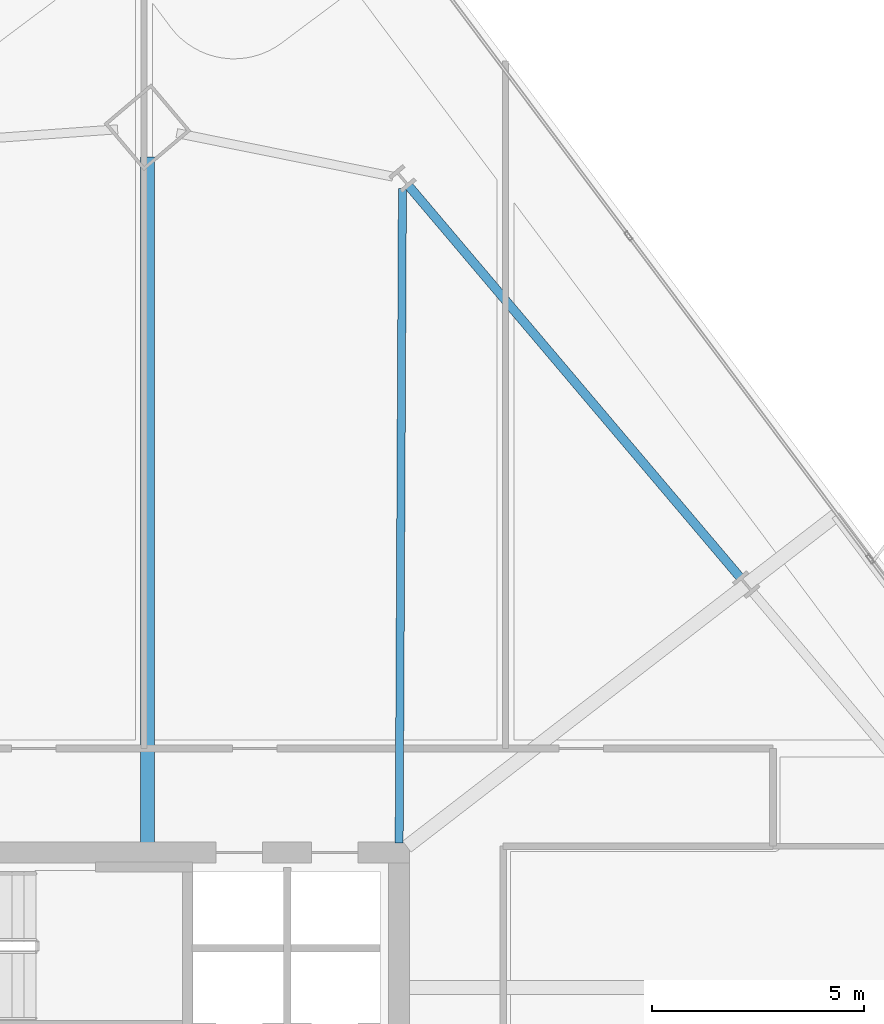
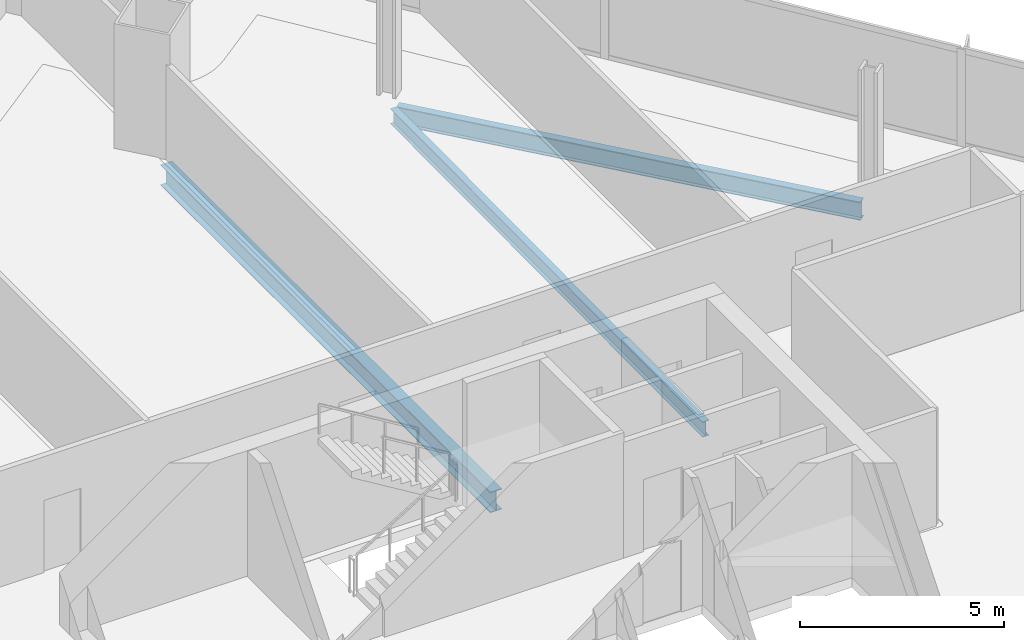
# One storey, part 19 of 32: 3 beams.
"""IFC4 building model written with IfcOpenShell, lengths in metres."""

import ifcopenshell
import ifcopenshell.guid

model = None  # the IFC model being written
_history = None  # IfcOwnerHistory: only IFC2X3 demands one
_inside = {}  # id of a spatial element -> (the spatial element, [elements in it])
_under = {}  # id of a project, library or spatial element -> (it, [spatial elements below it])
_declared = {}  # id of a project -> (the project, [libraries it declares])
_typed = {}  # id of a type object -> (the type object, [elements of that type])
_made_of = {}  # id of a material, layer set ... -> (it, [elements and type objects made of it])


def new_model(schema):
    """Start an empty IFC model of exactly this schema.

    Asked for "IFC4X3", IfcOpenShell would pick the latest addendum, in which some entities
    have other attributes; the version numbers below select the first issue.
    IFC2X3 requires an IfcOwnerHistory on every rooted entity: one is made here for all.
    """
    global model, _history
    if schema == "IFC4X3":
        model = ifcopenshell.file(schema_version=(4, 3, 0, 0))
    else:
        model = ifcopenshell.file(schema=schema)
    _inside.clear()
    _under.clear()
    _declared.clear()
    _typed.clear()
    _made_of.clear()
    _history = None
    if model.schema == "IFC2X3":
        org = make("IfcOrganization", Name="unknown")
        user = make(
            "IfcPersonAndOrganization",
            ThePerson=make("IfcPerson", FamilyName="unknown"),
            TheOrganization=org,
        )
        app = make(
            "IfcApplication",
            ApplicationDeveloper=org,
            Version="unknown",
            ApplicationFullName="unknown",
            ApplicationIdentifier="unknown",
        )
        _history = make(
            "IfcOwnerHistory",
            OwningUser=user,
            OwningApplication=app,
            ChangeAction="ADDED",
            CreationDate=0,
        )
    return model


def make(cls, **values):
    """One entity of the class cls with the attributes given. An attribute that is None is left unset."""
    return model.create_entity(
        cls, **{name: value for name, value in values.items() if value is not None}
    )


def rooted(cls, **values):
    """An entity with a GlobalId (a new one), such as an element, a storey or a relation."""
    return make(cls, GlobalId=ifcopenshell.guid.new(), OwnerHistory=_history, **values)


def si_unit(unit_type, name, prefix=None):
    """IfcSIUnit, for example si_unit("LENGTHUNIT", "METRE", prefix="MILLI")."""
    return make("IfcSIUnit", UnitType=unit_type, Prefix=prefix, Name=name)


def assignment(units):
    """IfcUnitAssignment: the units of a project."""
    return None if units is None else make("IfcUnitAssignment", Units=units)


def point(xyz):
    """IfcCartesianPoint."""
    return None if xyz is None else make("IfcCartesianPoint", Coordinates=xyz)


def direction(xyz):
    """IfcDirection."""
    return None if xyz is None else make("IfcDirection", DirectionRatios=xyz)


def frame(location, z_axis=None, x_axis=None):
    """IfcAxis2Placement3D, a coordinate frame: its origin and axes. An axis left out is left unset."""
    return make(
        "IfcAxis2Placement3D",
        Location=point(location),
        Axis=direction(z_axis),
        RefDirection=direction(x_axis),
    )


def frame_2d(location, x_axis=None):
    """IfcAxis2Placement2D, a coordinate frame in the plane: its origin and x axis."""
    return make(
        "IfcAxis2Placement2D", Location=point(location), RefDirection=direction(x_axis)
    )


def origin():
    """The frame at (0, 0, 0) with its axes left unset."""
    return frame((0.0, 0.0, 0.0))


def origin_2d():
    """The frame at (0, 0) in the plane with its x axis left unset."""
    return frame_2d((0.0, 0.0))


def place(relative_to, where):
    """IfcLocalPlacement: puts the frame where relative to a parent placement (None: the world)."""
    return make(
        "IfcLocalPlacement", PlacementRelTo=relative_to, RelativePlacement=where
    )


def context(
    kind, dimensions, precision=None, world=None, true_north=None, identifier=None
):
    """IfcGeometricRepresentationContext, for example the 3D "Model" context."""
    return make(
        "IfcGeometricRepresentationContext",
        ContextIdentifier=identifier,
        ContextType=kind,
        CoordinateSpaceDimension=dimensions,
        Precision=precision,
        WorldCoordinateSystem=world,
        TrueNorth=true_north,
    )


def subcontext(parent, identifier, kind, view, scale=None):
    """IfcGeometricRepresentationSubContext, for example "Body" below "Model"."""
    return make(
        "IfcGeometricRepresentationSubContext",
        ContextIdentifier=identifier,
        ContextType=kind,
        ParentContext=parent,
        TargetScale=scale,
        TargetView=view,
    )


def project(units=None, contexts=None):
    """IfcProject with its units and contexts."""
    return rooted(
        "IfcProject",
        Name="project",
        RepresentationContexts=contexts,
        UnitsInContext=assignment(units),
    )


def spatial(cls, under=None, at=None, **own):
    """A site, building, storey or space (cls), placed at a placement, below another one or the project."""
    s = rooted(cls, ObjectPlacement=at, **own)
    if under is not None:
        _under.setdefault(under.id(), (under, []))[1].append(s)
    return s


def profile(cls, at=None, kind="AREA", **sizes):
    """A parametric profile (cls). Its sizes go by their IFC names, for example OverallWidth=200.0."""
    return make(cls, ProfileType=kind, Position=at, **sizes)


def i_section(**sizes):
    """IfcIShapeProfileDef."""
    return profile("IfcIShapeProfileDef", **sizes)


def extrude(swept, where, along, depth):
    """IfcExtrudedAreaSolid: the profile swept, set in the frame where, extruded along a direction by depth."""
    return make(
        "IfcExtrudedAreaSolid",
        SweptArea=swept,
        Position=where,
        ExtrudedDirection=direction(along),
        Depth=depth,
    )


def shape(context_of_items, identifier, shape_type, items):
    """IfcShapeRepresentation: the items that make up one representation, for example the "Body"."""
    return make(
        "IfcShapeRepresentation",
        ContextOfItems=context_of_items,
        RepresentationIdentifier=identifier,
        RepresentationType=shape_type,
        Items=items,
    )


def material(Name=None, Category=None):
    """IfcMaterial."""
    return make("IfcMaterial", Name=Name, Category=Category)


def material_profile(
    of_material, cross_section, Name=None, Category=None, Priority=None
):
    """IfcMaterialProfile: a cross section and its material."""
    return make(
        "IfcMaterialProfile",
        Name=Name,
        Material=of_material,
        Profile=cross_section,
        Priority=Priority,
        Category=Category,
    )


def profile_set(profiles, Name=None, composite=None):
    """IfcMaterialProfileSet."""
    return make(
        "IfcMaterialProfileSet",
        Name=Name,
        MaterialProfiles=profiles,
        CompositeProfile=composite,
    )


def made_of(thing, what):
    """Note that an element or type object is made of a material, layer set ...; save() writes the relation."""
    if what is not None:
        _made_of.setdefault(what.id(), (what, []))[1].append(thing)
    return thing


def type_object(cls, material=None, **own):
    """A type object (cls), such as IfcWallType, which elements share."""
    return made_of(rooted(cls, **own), material)


def element(
    cls,
    number,
    at=None,
    inside=None,
    cuts=None,
    type_object=None,
    material=None,
    context=None,
    identifier="Body",
    shape_type=None,
    held_by="IfcProductDefinitionShape",
    body=None,
    shapes=None,
    **own,
):
    """One element of the class cls, such as IfcWall. Its Tag is "e" and its number.

    at: its placement. inside: the storey or other place that contains it. cuts: it is an
    opening in that element (IfcRelVoidsElement). A single representation is given by context,
    identifier, shape_type and body (its items); several are given by shapes. held_by: the class
    of the entity that holds the representations. save() writes the other relations.
    """
    e = rooted(cls, Tag="e%d" % number, ObjectPlacement=at, **own)
    if body is not None:
        shapes = [shape(context, identifier, shape_type, body)]
    if shapes is not None:
        e.Representation = make(held_by, Representations=shapes)
    if inside is not None:
        _inside.setdefault(inside.id(), (inside, []))[1].append(e)
    if cuts is not None:
        rooted(
            "IfcRelVoidsElement", RelatingBuildingElement=cuts, RelatedOpeningElement=e
        )
    if type_object is not None:
        _typed.setdefault(type_object.id(), (type_object, []))[1].append(e)
    return made_of(e, material)


def aggregate(whole, parts):
    """IfcRelAggregates: a whole, such as a stair, and the parts it consists of."""
    return rooted("IfcRelAggregates", RelatingObject=whole, RelatedObjects=parts)


def save(model, path):
    """Write the relations noted so far, then the file.

    IfcRelAggregates (storeys below a building ...), IfcRelContainedInSpatialStructure (elements
    in a storey), IfcRelDefinesByType, IfcRelAssociatesMaterial and IfcRelDeclares: one each for
    every whole, place, type object, material and project.
    """
    for whole, parts in _under.values():
        aggregate(whole, parts)
    for where, things in _inside.values():
        rooted(
            "IfcRelContainedInSpatialStructure",
            RelatedElements=things,
            RelatingStructure=where,
        )
    for kind, things in _typed.values():
        rooted("IfcRelDefinesByType", RelatedObjects=things, RelatingType=kind)
    for what, things in _made_of.values():
        rooted("IfcRelAssociatesMaterial", RelatedObjects=things, RelatingMaterial=what)
    for by, libraries in _declared.values():
        rooted("IfcRelDeclares", RelatingContext=by, RelatedDefinitions=libraries)
    model.write(path)


model = new_model("IFC4")

# Units and contexts
model_context = context("Model", 3, precision=1e-05, world=origin(), true_north=direction((0.0, 1.0)))
body_context = subcontext(model_context, "Body", "Model", "MODEL_VIEW")
ifc_project = project(units=[si_unit("LENGTHUNIT", "METRE"), si_unit("AREAUNIT", "SQUARE_METRE"), si_unit("VOLUMEUNIT", "CUBIC_METRE"), si_unit("PLANEANGLEUNIT", "RADIAN"), si_unit("MASSUNIT", "GRAM", prefix="KILO")], contexts=[model_context])

# Site, building, storey
site_placement = place(None, origin())
site = spatial("IfcSite", under=ifc_project, at=site_placement, CompositionType="ELEMENT")
building_placement = place(site_placement, origin())
building = spatial("IfcBuilding", under=site, at=building_placement, Name="Haldenkirk Collegiate Tower", CompositionType="ELEMENT")
storey_placement = place(building_placement, frame((0.0, 0.0, 151.949951171875)))
storey = spatial("IfcBuildingStorey", under=building, at=storey_placement, Name="L37", CompositionType="ELEMENT", Elevation=151.949951171875)

# Beams
ifc_material = material(Name="Steel ASTM A992 Grade 50", Category="steel")
ifc_material_profile_1 = material_profile(ifc_material, i_section(OverallWidth=0.324951171875, OverallDepth=0.615966796875, WebThickness=0.013916015625, FlangeThickness=0.021484375, at=origin_2d()), Name="W24X117")
ifc_profile_set_1 = profile_set([ifc_material_profile_1], Name="Steel ASTM A992 Grade 50")
beam_type_1 = type_object("IfcBeamType", Name="BM-GIRDER-W24X117", PredefinedType="BEAM", material=ifc_profile_set_1)
beam_1_placement = place(storey_placement, frame((39.076904296875, 50.3701171875, -0.597900390625), z_axis=(0.0, -1.0, 0.0), x_axis=(1.0, 0.0, 0.0)))
element("IfcBeam", 1, at=beam_1_placement, inside=storey, type_object=beam_type_1, Name="L37 primary floor girder 03", PredefinedType="BEAM", context=body_context, shape_type="SweptSolid", body=[
    extrude(i_section(OverallWidth=0.324951171875, OverallDepth=0.615966796875, WebThickness=0.013916015625, FlangeThickness=0.021484375, at=origin_2d()), origin(), (0.0, 0.0, 1.0), 16.14013671875),
])
ifc_material_profile_2 = material_profile(ifc_material, i_section(OverallWidth=0.18994140625, OverallDepth=0.45703125, WebThickness=0.009033203125, FlangeThickness=0.014404296875, at=origin_2d()), Name="W18X50")
ifc_profile_set_2 = profile_set([ifc_material_profile_2], Name="Steel ASTM A992 Grade 50")
beam_type_2 = type_object("IfcBeamType", Name="BM-JOIST-W18X50", PredefinedType="JOIST", material=ifc_profile_set_2)
beam_2_placement = place(storey_placement, frame((45.07861328125, 49.63623046875, -0.5185546875), z_axis=(-0.005023389964, -0.999987382697, 0.0), x_axis=(0.999987382697, -0.005023389964, 0.0)))
element("IfcBeam", 2, at=beam_2_placement, inside=storey, type_object=beam_type_2, Name="L37 composite floor joist 10", PredefinedType="JOIST", context=body_context, shape_type="SweptSolid", body=[
    extrude(i_section(OverallWidth=0.18994140625, OverallDepth=0.45703125, WebThickness=0.009033203125, FlangeThickness=0.014404296875, at=origin_2d()), origin(), (0.0, 0.0, 1.0), 15.406494140625),
])
ifc_material_profile_3 = material_profile(ifc_material, i_section(OverallWidth=0.2119140625, OverallDepth=0.5439453125, WebThickness=0.01318359375, FlangeThickness=0.021240234375, at=origin_2d()), Name="W21X83")
ifc_profile_set_3 = profile_set([ifc_material_profile_3], Name="Steel ASTM A992 Grade 50")
beam_type_3 = type_object("IfcBeamType", Name="BM-SPANDREL-W21X83", PredefinedType="SPANDREL", material=ifc_profile_set_3)
beam_3_placement = place(storey_placement, frame((53.023193359375, 40.482177734375, -0.56201171875), z_axis=(-0.646126367676, 0.763230448157, 0.0), x_axis=(-0.763230448157, -0.646126367676, 0.0)))
element("IfcBeam", 3, at=beam_3_placement, inside=storey, type_object=beam_type_3, Name="L37 perimeter spandrel beam 07", PredefinedType="SPANDREL", context=body_context, shape_type="SweptSolid", body=[
    extrude(i_section(OverallWidth=0.2119140625, OverallDepth=0.5439453125, WebThickness=0.01318359375, FlangeThickness=0.021240234375, at=origin_2d()), origin(), (0.0, 0.0, 1.0), 12.06494140625),
])

save(model, "model.ifc")
